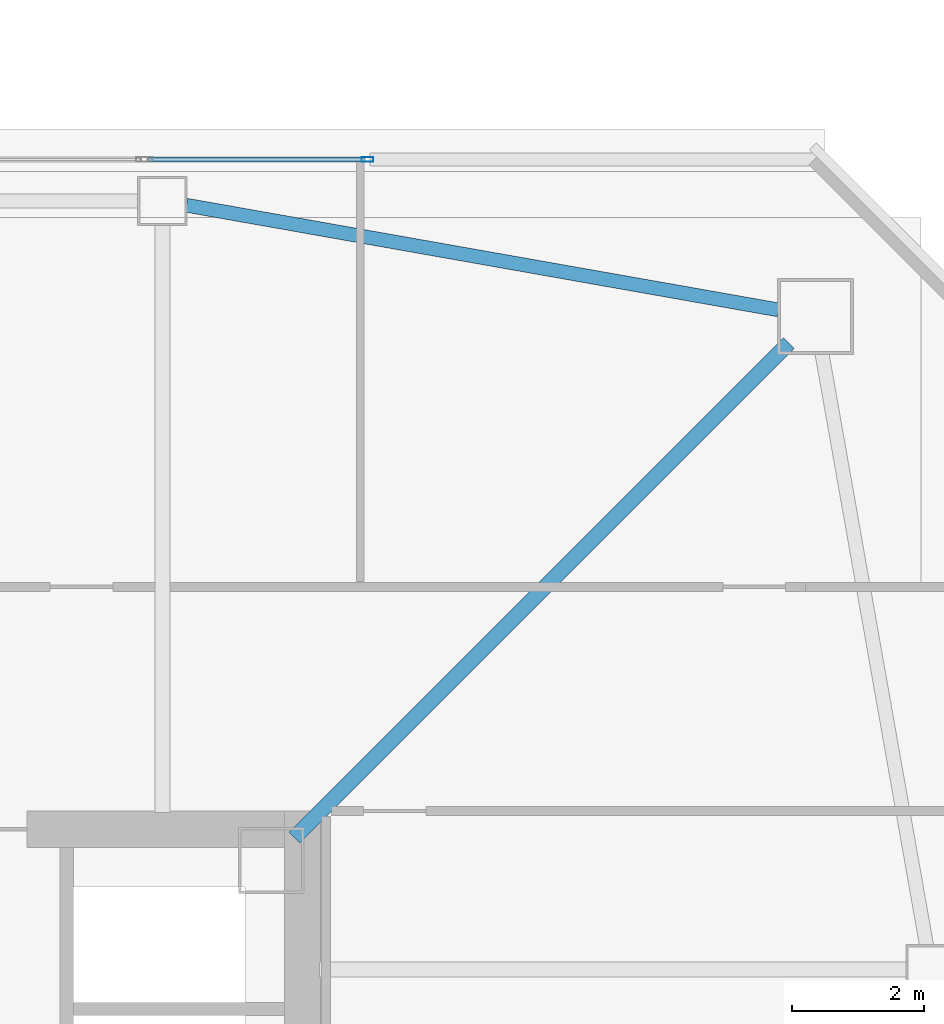
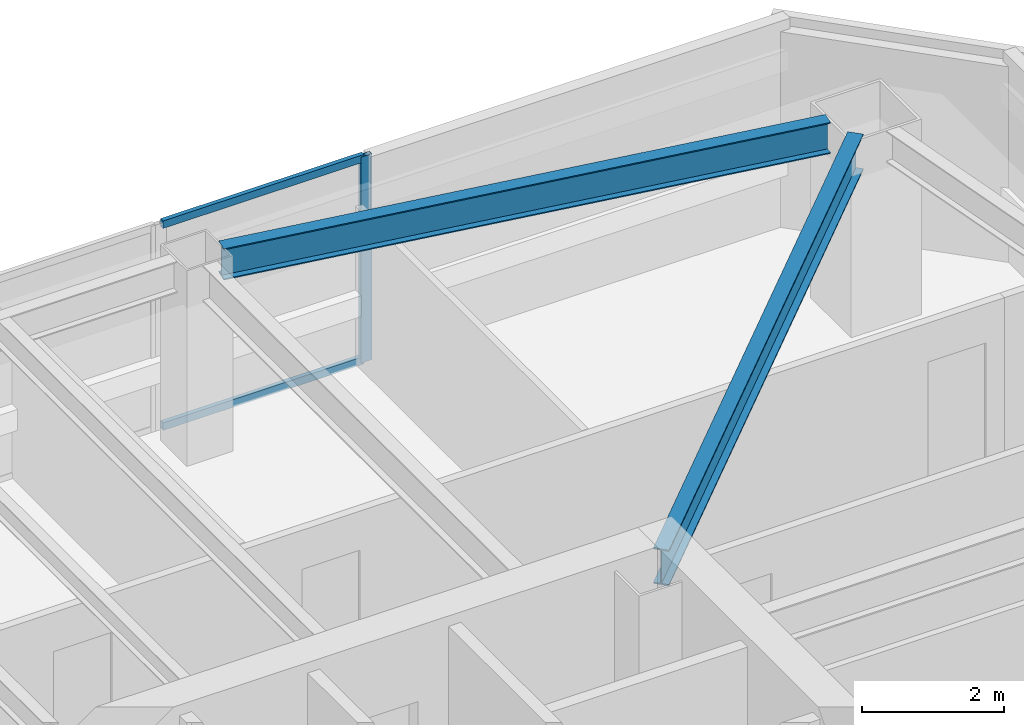
# One storey, part 15 of 42: 3 members, 2 beams, 1 element without a shape of its own.
"""IFC4 building model written with IfcOpenShell, lengths in metres."""

from ifc_helpers import new_model, si_unit, direction, frame, origin, origin_2d, place, context, subcontext, project, spatial, hollow_rectangle, i_section, extrude, material, material_profile, profile_set, type_object, element, aggregate, save


model = new_model("IFC4")

# Units and contexts
model_context = context("Model", 3, precision=1e-05, world=origin(), true_north=direction((0.0, 1.0)))
body_context = subcontext(model_context, "Body", "Model", "MODEL_VIEW")
ifc_project = project(units=[si_unit("LENGTHUNIT", "METRE"), si_unit("AREAUNIT", "SQUARE_METRE"), si_unit("VOLUMEUNIT", "CUBIC_METRE"), si_unit("PLANEANGLEUNIT", "RADIAN"), si_unit("MASSUNIT", "GRAM", prefix="KILO")], contexts=[model_context])

# Site, building, storey
site_placement = place(None, origin())
site = spatial("IfcSite", under=ifc_project, at=site_placement, CompositionType="ELEMENT")
building_placement = place(site_placement, origin())
building = spatial("IfcBuilding", under=site, at=building_placement, Name="Tashvorn Skyway Center", CompositionType="ELEMENT")
storey_placement = place(building_placement, frame((0.0, 0.0, 164.10009765625)))
storey = spatial("IfcBuildingStorey", under=building, at=storey_placement, Name="L44", CompositionType="ELEMENT", Elevation=164.10009765625)

# Beams
ifc_material_1 = material(Name="Steel ASTM A992 Grade 50", Category="steel")
ifc_material_profile_1 = material_profile(ifc_material_1, i_section(OverallWidth=0.22998046875, OverallDepth=0.616943359375, WebThickness=0.01318359375, FlangeThickness=0.022216796875, at=origin_2d()), Name="W24X94")
ifc_profile_set_1 = profile_set([ifc_material_profile_1], Name="Steel ASTM A992 Grade 50")
beam_type_1 = type_object("IfcBeamType", Name="BM-BEAM-W24X94", PredefinedType="BEAM", material=ifc_profile_set_1)
beam_1_placement = place(storey_placement, frame((56.89697265625, 46.89697265625, 3.0615234375), z_axis=(-0.707106781187, -0.707106781187, 0.0), x_axis=(0.707106781187, -0.707106781187, 0.0)))
element("IfcBeam", 1, at=beam_1_placement, inside=storey, type_object=beam_type_1, Name="Tower 1 L44 Primary Floor Girder MC-NE", PredefinedType="BEAM", context=body_context, shape_type="SweptSolid", body=[
    extrude(i_section(OverallWidth=0.22998046875, OverallDepth=0.616943359375, WebThickness=0.01318359375, FlangeThickness=0.022216796875, at=origin_2d()), origin(), (0.0, 0.0, 1.0), 10.6025390625),
])
ifc_material_profile_2 = material_profile(ifc_material_1, i_section(OverallWidth=0.2109375, OverallDepth=0.5390625, WebThickness=0.01171875, FlangeThickness=0.018798828125, at=origin_2d()), Name="W21X73")
ifc_profile_set_2 = profile_set([ifc_material_profile_2], Name="Steel ASTM A992 Grade 50")
beam_type_2 = type_object("IfcBeamType", Name="BM-SPANDREL-W21X73", PredefinedType="SPANDREL", material=ifc_profile_set_2)
beam_2_placement = place(storey_placement, frame((56.73876953125, 47.399169921875, 3.100341796875), z_axis=(-0.984732545667, 0.174074160933, 0.0), x_axis=(-0.174074160933, -0.984732545667, 0.0)))
element("IfcBeam", 2, at=beam_2_placement, inside=storey, type_object=beam_type_2, Name="Tower 1 L44 Spandrel Beam 07", PredefinedType="SPANDREL", context=body_context, shape_type="SweptSolid", body=[
    extrude(i_section(OverallWidth=0.2109375, OverallDepth=0.5390625, WebThickness=0.01171875, FlangeThickness=0.018798828125, at=origin_2d()), origin(), (0.0, 0.0, 1.0), 9.113525390625),
])

# Curtain wall, members
ifc_material_2 = material(Name="Thermally broken bronze-anodized aluminium 6063-T6", Category="aluminium")
curtain_wall_type = type_object("IfcCurtainWallType", Name="CW-CW-Z4", PredefinedType="NOTDEFINED", material=ifc_material_2)
curtain_wall_placement = place(storey_placement, origin())
curtain_wall = element("IfcCurtainWall", 3, at=curtain_wall_placement, inside=storey, type_object=curtain_wall_type, Name="Tower 1 L44 North Unitised Curtain Wall Glazing Group 3", PredefinedType="NOTDEFINED")
ifc_material_profile_3 = material_profile(ifc_material_2, hollow_rectangle(XDim=0.070068359375, YDim=0.179931640625, WallThickness=0.00390625, at=origin_2d()), Name="ALU-MULL-70x180")
ifc_profile_set_3 = profile_set([ifc_material_profile_3], Name="Thermally broken bronze-anodized aluminium 6063-T6")
member_type_1 = type_object("IfcMemberType", Name="CWM-CW-Z4", PredefinedType="MULLION", material=ifc_profile_set_3)
member_1_placement = place(storey_placement, frame((50.509521484375, 49.679931640625, 0.0), z_axis=(0.0, 0.0, 1.0), x_axis=(0.0, 1.0, 0.0)))
member_1 = element("IfcMember", 4, at=member_1_placement, type_object=member_type_1, Name="CW-Z4 mullion 2", PredefinedType="MULLION", context=body_context, shape_type="SweptSolid", body=[
    extrude(hollow_rectangle(XDim=0.070068359375, YDim=0.179931640625, WallThickness=0.00390625, at=origin_2d()), origin(), (0.0, 0.0, 1.0), 3.5498046875),
])
ifc_material_profile_4 = material_profile(ifc_material_2, hollow_rectangle(XDim=0.070068359375, YDim=0.1298828125, WallThickness=0.00390625, at=origin_2d()), Name="ALU-TRAN-70x130")
ifc_profile_set_4 = profile_set([ifc_material_profile_4], Name="Thermally broken bronze-anodized aluminium 6063-T6")
member_type_2 = type_object("IfcMemberType", Name="CWT-CW-Z4", PredefinedType="USERDEFINED", material=ifc_profile_set_4)
member_2_placement = place(storey_placement, frame((47.19677734375, 49.679931640625, 0.034912109375), z_axis=(1.0, 0.0, 0.0), x_axis=(0.0, 1.0, 0.0)))
member_2 = element("IfcMember", 5, at=member_2_placement, type_object=member_type_2, Name="CW-Z4 transom 1.1", ObjectType="TRANSOM", PredefinedType="USERDEFINED", context=body_context, shape_type="SweptSolid", body=[
    extrude(hollow_rectangle(XDim=0.070068359375, YDim=0.1298828125, WallThickness=0.00390625, at=origin_2d()), origin(), (0.0, 0.0, 1.0), 3.277587890625),
])
member_3_placement = place(storey_placement, frame((47.19677734375, 49.679931640625, 3.514892578125), z_axis=(1.0, 0.0, 0.0), x_axis=(0.0, 1.0, 0.0)))
member_3 = element("IfcMember", 6, at=member_3_placement, type_object=member_type_2, Name="CW-Z4 transom 1.2", ObjectType="TRANSOM", PredefinedType="USERDEFINED", context=body_context, shape_type="SweptSolid", body=[
    extrude(hollow_rectangle(XDim=0.070068359375, YDim=0.1298828125, WallThickness=0.00390625, at=origin_2d()), origin(), (0.0, 0.0, 1.0), 3.277587890625),
])
aggregate(curtain_wall, [member_1, member_2, member_3])

save(model, "model.ifc")
